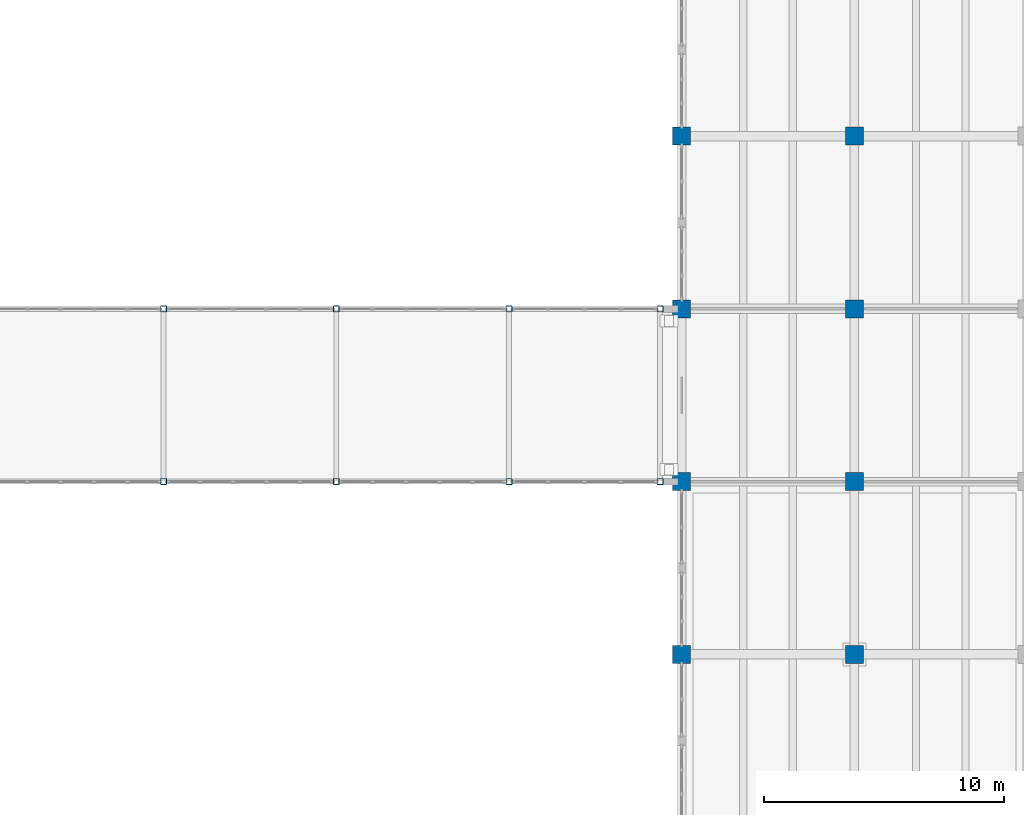
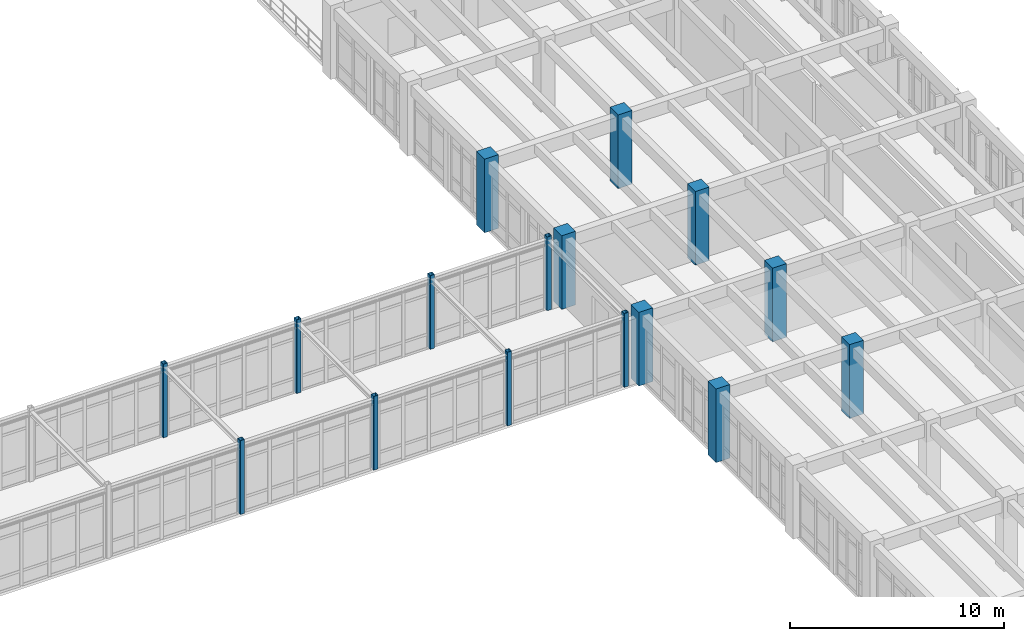
# One storey, part 5 of 136: 16 columns.
"""IFC4 building model written with IfcOpenShell, lengths in metres."""

import ifcopenshell
import ifcopenshell.guid

model = None  # the IFC model being written
_history = None  # IfcOwnerHistory: only IFC2X3 demands one
_inside = {}  # id of a spatial element -> (the spatial element, [elements in it])
_under = {}  # id of a project, library or spatial element -> (it, [spatial elements below it])
_declared = {}  # id of a project -> (the project, [libraries it declares])
_typed = {}  # id of a type object -> (the type object, [elements of that type])
_made_of = {}  # id of a material, layer set ... -> (it, [elements and type objects made of it])


def new_model(schema):
    """Start an empty IFC model of exactly this schema.

    Asked for "IFC4X3", IfcOpenShell would pick the latest addendum, in which some entities
    have other attributes; the version numbers below select the first issue.
    IFC2X3 requires an IfcOwnerHistory on every rooted entity: one is made here for all.
    """
    global model, _history
    if schema == "IFC4X3":
        model = ifcopenshell.file(schema_version=(4, 3, 0, 0))
    else:
        model = ifcopenshell.file(schema=schema)
    _inside.clear()
    _under.clear()
    _declared.clear()
    _typed.clear()
    _made_of.clear()
    _history = None
    if model.schema == "IFC2X3":
        org = make("IfcOrganization", Name="unknown")
        user = make(
            "IfcPersonAndOrganization",
            ThePerson=make("IfcPerson", FamilyName="unknown"),
            TheOrganization=org,
        )
        app = make(
            "IfcApplication",
            ApplicationDeveloper=org,
            Version="unknown",
            ApplicationFullName="unknown",
            ApplicationIdentifier="unknown",
        )
        _history = make(
            "IfcOwnerHistory",
            OwningUser=user,
            OwningApplication=app,
            ChangeAction="ADDED",
            CreationDate=0,
        )
    return model


def make(cls, **values):
    """One entity of the class cls with the attributes given. An attribute that is None is left unset."""
    return model.create_entity(
        cls, **{name: value for name, value in values.items() if value is not None}
    )


def rooted(cls, **values):
    """An entity with a GlobalId (a new one), such as an element, a storey or a relation."""
    return make(cls, GlobalId=ifcopenshell.guid.new(), OwnerHistory=_history, **values)


def si_unit(unit_type, name, prefix=None):
    """IfcSIUnit, for example si_unit("LENGTHUNIT", "METRE", prefix="MILLI")."""
    return make("IfcSIUnit", UnitType=unit_type, Prefix=prefix, Name=name)


def assignment(units):
    """IfcUnitAssignment: the units of a project."""
    return None if units is None else make("IfcUnitAssignment", Units=units)


def point(xyz):
    """IfcCartesianPoint."""
    return None if xyz is None else make("IfcCartesianPoint", Coordinates=xyz)


def direction(xyz):
    """IfcDirection."""
    return None if xyz is None else make("IfcDirection", DirectionRatios=xyz)


def frame(location, z_axis=None, x_axis=None):
    """IfcAxis2Placement3D, a coordinate frame: its origin and axes. An axis left out is left unset."""
    return make(
        "IfcAxis2Placement3D",
        Location=point(location),
        Axis=direction(z_axis),
        RefDirection=direction(x_axis),
    )


def frame_2d(location, x_axis=None):
    """IfcAxis2Placement2D, a coordinate frame in the plane: its origin and x axis."""
    return make(
        "IfcAxis2Placement2D", Location=point(location), RefDirection=direction(x_axis)
    )


def origin():
    """The frame at (0, 0, 0) with its axes left unset."""
    return frame((0.0, 0.0, 0.0))


def origin_2d():
    """The frame at (0, 0) in the plane with its x axis left unset."""
    return frame_2d((0.0, 0.0))


def place(relative_to, where):
    """IfcLocalPlacement: puts the frame where relative to a parent placement (None: the world)."""
    return make(
        "IfcLocalPlacement", PlacementRelTo=relative_to, RelativePlacement=where
    )


def context(
    kind, dimensions, precision=None, world=None, true_north=None, identifier=None
):
    """IfcGeometricRepresentationContext, for example the 3D "Model" context."""
    return make(
        "IfcGeometricRepresentationContext",
        ContextIdentifier=identifier,
        ContextType=kind,
        CoordinateSpaceDimension=dimensions,
        Precision=precision,
        WorldCoordinateSystem=world,
        TrueNorth=true_north,
    )


def subcontext(parent, identifier, kind, view, scale=None):
    """IfcGeometricRepresentationSubContext, for example "Body" below "Model"."""
    return make(
        "IfcGeometricRepresentationSubContext",
        ContextIdentifier=identifier,
        ContextType=kind,
        ParentContext=parent,
        TargetScale=scale,
        TargetView=view,
    )


def project(units=None, contexts=None):
    """IfcProject with its units and contexts."""
    return rooted(
        "IfcProject",
        Name="project",
        RepresentationContexts=contexts,
        UnitsInContext=assignment(units),
    )


def spatial(cls, under=None, at=None, **own):
    """A site, building, storey or space (cls), placed at a placement, below another one or the project."""
    s = rooted(cls, ObjectPlacement=at, **own)
    if under is not None:
        _under.setdefault(under.id(), (under, []))[1].append(s)
    return s


def profile(cls, at=None, kind="AREA", **sizes):
    """A parametric profile (cls). Its sizes go by their IFC names, for example OverallWidth=200.0."""
    return make(cls, ProfileType=kind, Position=at, **sizes)


def rectangle(**sizes):
    """IfcRectangleProfileDef."""
    return profile("IfcRectangleProfileDef", **sizes)


def hollow_rectangle(**sizes):
    """IfcRectangleHollowProfileDef."""
    return profile("IfcRectangleHollowProfileDef", **sizes)


def extrude(swept, where, along, depth):
    """IfcExtrudedAreaSolid: the profile swept, set in the frame where, extruded along a direction by depth."""
    return make(
        "IfcExtrudedAreaSolid",
        SweptArea=swept,
        Position=where,
        ExtrudedDirection=direction(along),
        Depth=depth,
    )


def shape(context_of_items, identifier, shape_type, items):
    """IfcShapeRepresentation: the items that make up one representation, for example the "Body"."""
    return make(
        "IfcShapeRepresentation",
        ContextOfItems=context_of_items,
        RepresentationIdentifier=identifier,
        RepresentationType=shape_type,
        Items=items,
    )


def material(Name=None, Category=None):
    """IfcMaterial."""
    return make("IfcMaterial", Name=Name, Category=Category)


def material_profile(
    of_material, cross_section, Name=None, Category=None, Priority=None
):
    """IfcMaterialProfile: a cross section and its material."""
    return make(
        "IfcMaterialProfile",
        Name=Name,
        Material=of_material,
        Profile=cross_section,
        Priority=Priority,
        Category=Category,
    )


def profile_set(profiles, Name=None, composite=None):
    """IfcMaterialProfileSet."""
    return make(
        "IfcMaterialProfileSet",
        Name=Name,
        MaterialProfiles=profiles,
        CompositeProfile=composite,
    )


def made_of(thing, what):
    """Note that an element or type object is made of a material, layer set ...; save() writes the relation."""
    if what is not None:
        _made_of.setdefault(what.id(), (what, []))[1].append(thing)
    return thing


def type_object(cls, material=None, **own):
    """A type object (cls), such as IfcWallType, which elements share."""
    return made_of(rooted(cls, **own), material)


def element(
    cls,
    number,
    at=None,
    inside=None,
    cuts=None,
    type_object=None,
    material=None,
    context=None,
    identifier="Body",
    shape_type=None,
    held_by="IfcProductDefinitionShape",
    body=None,
    shapes=None,
    **own,
):
    """One element of the class cls, such as IfcWall. Its Tag is "e" and its number.

    at: its placement. inside: the storey or other place that contains it. cuts: it is an
    opening in that element (IfcRelVoidsElement). A single representation is given by context,
    identifier, shape_type and body (its items); several are given by shapes. held_by: the class
    of the entity that holds the representations. save() writes the other relations.
    """
    e = rooted(cls, Tag="e%d" % number, ObjectPlacement=at, **own)
    if body is not None:
        shapes = [shape(context, identifier, shape_type, body)]
    if shapes is not None:
        e.Representation = make(held_by, Representations=shapes)
    if inside is not None:
        _inside.setdefault(inside.id(), (inside, []))[1].append(e)
    if cuts is not None:
        rooted(
            "IfcRelVoidsElement", RelatingBuildingElement=cuts, RelatedOpeningElement=e
        )
    if type_object is not None:
        _typed.setdefault(type_object.id(), (type_object, []))[1].append(e)
    return made_of(e, material)


def aggregate(whole, parts):
    """IfcRelAggregates: a whole, such as a stair, and the parts it consists of."""
    return rooted("IfcRelAggregates", RelatingObject=whole, RelatedObjects=parts)


def save(model, path):
    """Write the relations noted so far, then the file.

    IfcRelAggregates (storeys below a building ...), IfcRelContainedInSpatialStructure (elements
    in a storey), IfcRelDefinesByType, IfcRelAssociatesMaterial and IfcRelDeclares: one each for
    every whole, place, type object, material and project.
    """
    for whole, parts in _under.values():
        aggregate(whole, parts)
    for where, things in _inside.values():
        rooted(
            "IfcRelContainedInSpatialStructure",
            RelatedElements=things,
            RelatingStructure=where,
        )
    for kind, things in _typed.values():
        rooted("IfcRelDefinesByType", RelatedObjects=things, RelatingType=kind)
    for what, things in _made_of.values():
        rooted("IfcRelAssociatesMaterial", RelatedObjects=things, RelatingMaterial=what)
    for by, libraries in _declared.values():
        rooted("IfcRelDeclares", RelatingContext=by, RelatedDefinitions=libraries)
    model.write(path)


model = new_model("IFC4")

# Units and contexts
model_context = context("Model", 3, precision=1e-05, world=origin(), true_north=direction((0.0, 1.0)))
body_context = subcontext(model_context, "Body", "Model", "MODEL_VIEW")
ifc_project = project(units=[si_unit("LENGTHUNIT", "METRE"), si_unit("AREAUNIT", "SQUARE_METRE"), si_unit("VOLUMEUNIT", "CUBIC_METRE"), si_unit("PLANEANGLEUNIT", "RADIAN"), si_unit("MASSUNIT", "GRAM", prefix="KILO")], contexts=[model_context])

# Site, building, storey
site_placement = place(None, origin())
site = spatial("IfcSite", under=ifc_project, at=site_placement, CompositionType="ELEMENT")
building_placement = place(site_placement, origin())
building = spatial("IfcBuilding", under=site, at=building_placement, Name="Koriwan Promenade Central Fire Station", CompositionType="ELEMENT")
storey_placement = place(building_placement, frame((0.0, 0.0, 5.39990234375)))
storey = spatial("IfcBuildingStorey", under=building, at=storey_placement, Name="L01", CompositionType="ELEMENT", Elevation=5.39990234375)

# Columns
ifc_material_1 = material(Name="Concrete C40/50", Category="concrete")
ifc_material_profile_1 = material_profile(ifc_material_1, rectangle(XDim=0.75, YDim=0.75, at=origin_2d()), Name="RC-COL-750x750")
ifc_profile_set_1 = profile_set([ifc_material_profile_1], Name="Concrete C40/50")
column_type_1 = type_object("IfcColumnType", Name="Column_RC-COL-750x750", PredefinedType="COLUMN", material=ifc_profile_set_1)
for number, where, z_axis, x_axis, name in (
    (1, (151.199951171875, 36.0, 0.0), (0.0, 0.0, 1.0), (1.0, 0.0, 0.0), "V5 L01 column (151.2, 36.0)"),
    (2, (151.199951171875, 43.199951171875, 0.0), (0.0, 0.0, 1.0), (1.0, 0.0, 0.0), "V5 L01 column (151.2, 43.2)"),
    (3, (151.199951171875, 50.39990234375, 0.0), (0.0, 0.0, 1.0), (1.0, 0.0, 0.0), "V5 L01 column (151.2, 50.4)"),
    (4, (151.199951171875, 57.60009765625, 0.0), (0.0, 0.0, 1.0), (1.0, 0.0, 0.0), "V5 L01 column (151.2, 57.6)"),
    (5, (158.39990234375, 36.0, 0.0), (0.0, 0.0, 1.0), (1.0, 0.0, 0.0), "V5 L01 column (158.4, 36.0)"),
    (6, (158.39990234375, 43.199951171875, 0.0), (0.0, 0.0, 1.0), (1.0, 0.0, 0.0), "V5 L01 column (158.4, 43.2)"),
    (7, (158.39990234375, 50.39990234375, 0.0), (0.0, 0.0, 1.0), (1.0, 0.0, 0.0), "V5 L01 column (158.4, 50.4)"),
    (8, (158.39990234375, 57.60009765625, 0.0), (0.0, 0.0, 1.0), (1.0, 0.0, 0.0), "V5 L01 column (158.4, 57.6)"),
):
    element("IfcColumn", number, at=place(storey_placement, frame(where, z_axis=z_axis, x_axis=x_axis)), inside=storey, type_object=column_type_1, Name=name, PredefinedType="COLUMN", context=body_context, shape_type="SweptSolid", body=[
        extrude(rectangle(XDim=0.75, YDim=0.75, at=origin_2d()), origin(), (0.0, 0.0, 1.0), 4.2001953125),
    ])
ifc_material_2 = material(Name="Steel ASTM A500 Grade C", Category="steel")
ifc_material_profile_2 = material_profile(ifc_material_2, hollow_rectangle(XDim=0.25, YDim=0.25, WallThickness=0.011962890625, InnerFilletRadius=0.011962890625, OuterFilletRadius=0.02392578125, at=origin_2d()), Name="HSS250x250x12")
ifc_profile_set_2 = profile_set([ifc_material_profile_2], Name="Steel ASTM A500 Grade C")
column_type_2 = type_object("IfcColumnType", Name="SteelColumn_HSS250x250x12", PredefinedType="COLUMN", material=ifc_profile_set_2)
for number, where, z_axis, x_axis, name in (
    (9, (129.60009765625, 43.199951171875, 0.0), (0.0, 0.0, 1.0), (1.0, 0.0, 0.0), "COL_CHARBAGH L01 pier (129.6, 43.2)"),
    (10, (129.60009765625, 50.39990234375, 0.0), (0.0, 0.0, 1.0), (1.0, 0.0, 0.0), "COL_CHARBAGH L01 pier (129.6, 50.4)"),
    (11, (136.800048828125, 43.199951171875, 0.0), (0.0, 0.0, 1.0), (1.0, 0.0, 0.0), "COL_CHARBAGH L01 pier (136.8, 43.2)"),
    (12, (136.800048828125, 50.39990234375, 0.0), (0.0, 0.0, 1.0), (1.0, 0.0, 0.0), "COL_CHARBAGH L01 pier (136.8, 50.4)"),
    (13, (144.0, 43.199951171875, 0.0), (0.0, 0.0, 1.0), (1.0, 0.0, 0.0), "COL_CHARBAGH L01 pier (144.0, 43.2)"),
    (14, (144.0, 50.39990234375, 0.0), (0.0, 0.0, 1.0), (1.0, 0.0, 0.0), "COL_CHARBAGH L01 pier (144.0, 50.4)"),
    (15, (150.300048828125, 43.199951171875, 0.0), (0.0, 0.0, 1.0), (1.0, 0.0, 0.0), "COL_CHARBAGH L01 pier (150.3, 43.2)"),
    (16, (150.300048828125, 50.39990234375, 0.0), (0.0, 0.0, 1.0), (1.0, 0.0, 0.0), "COL_CHARBAGH L01 pier (150.3, 50.4)"),
):
    element("IfcColumn", number, at=place(storey_placement, frame(where, z_axis=z_axis, x_axis=x_axis)), inside=storey, type_object=column_type_2, Name=name, PredefinedType="COLUMN", context=body_context, shape_type="SweptSolid", body=[
        extrude(hollow_rectangle(XDim=0.25, YDim=0.25, WallThickness=0.011962890625, InnerFilletRadius=0.011962890625, OuterFilletRadius=0.02392578125, at=origin_2d()), origin(), (0.0, 0.0, 1.0), 4.2001953125),
    ])

save(model, "model.ifc")
